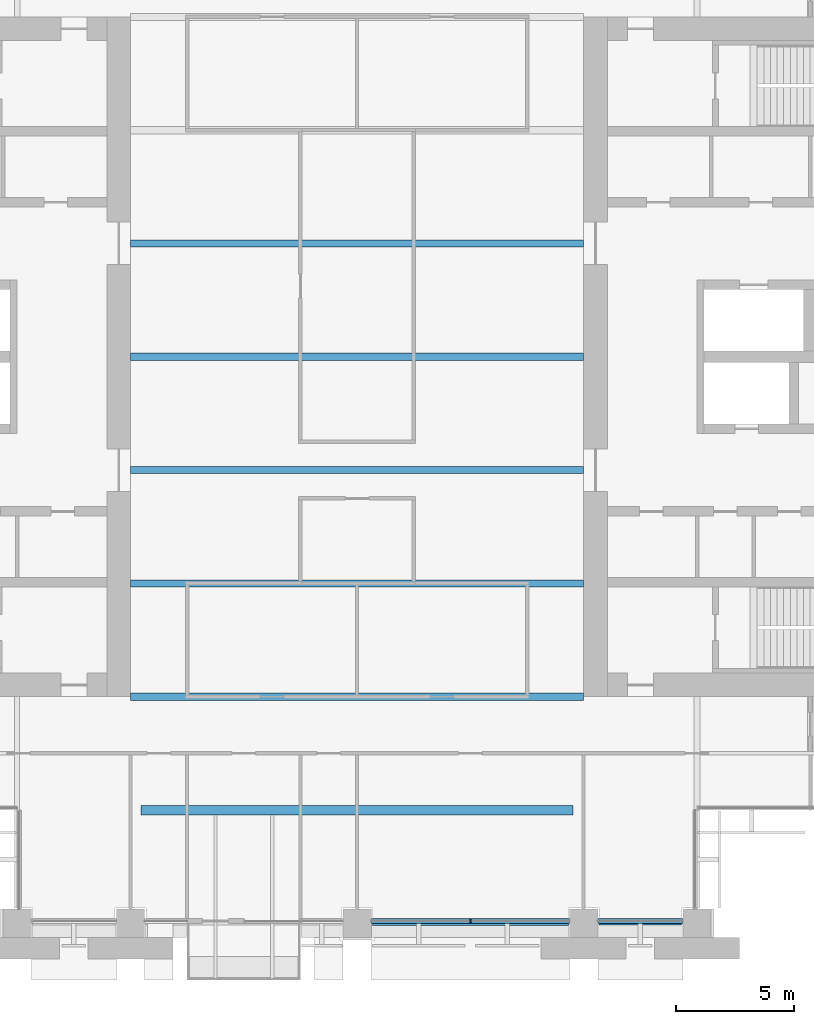
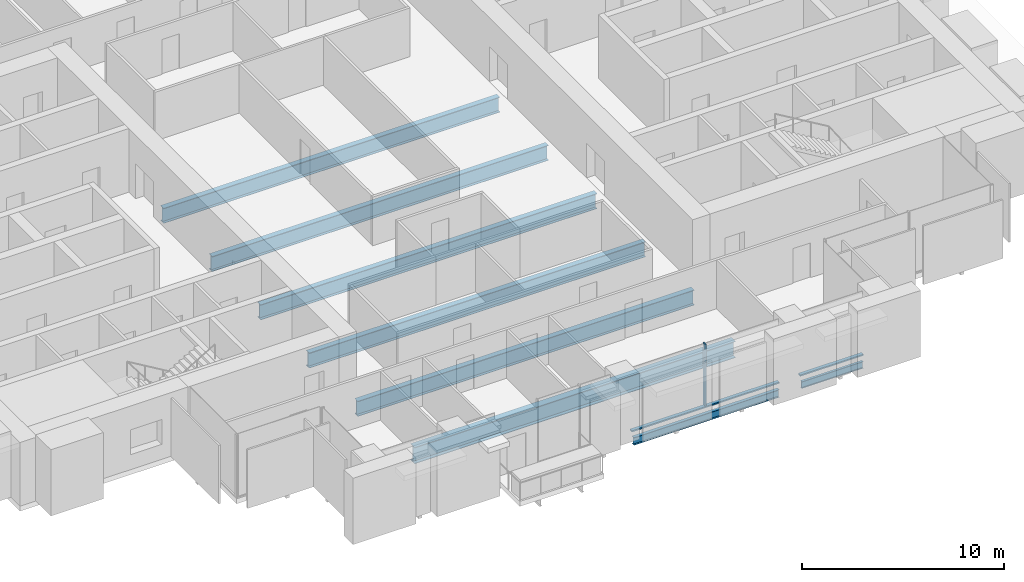
# One storey, part 3 of 15: 8 beams, 3 members, 1 element without a shape of its own.
"""IFC4 building model written with IfcOpenShell, lengths in metres."""

from ifc_helpers import new_model, si_unit, direction, frame, origin, origin_2d, place, context, subcontext, project, spatial, rectangle, i_section, extrude, material, material_profile, profile_set, type_object, element, aggregate, save


model = new_model("IFC4")

# Units and contexts
model_context = context("Model", 3, precision=1e-05, world=origin(), true_north=direction((0.0, 1.0)))
body_context = subcontext(model_context, "Body", "Model", "MODEL_VIEW")
ifc_project = project(units=[si_unit("LENGTHUNIT", "METRE"), si_unit("AREAUNIT", "SQUARE_METRE"), si_unit("VOLUMEUNIT", "CUBIC_METRE"), si_unit("PLANEANGLEUNIT", "RADIAN"), si_unit("MASSUNIT", "GRAM", prefix="KILO")], contexts=[model_context])

# Site, building, storey
site_placement = place(None, origin())
site = spatial("IfcSite", under=ifc_project, at=site_placement, CompositionType="ELEMENT")
building_placement = place(site_placement, origin())
building = spatial("IfcBuilding", under=site, at=building_placement, Name="Baori Bourse Tower", CompositionType="ELEMENT")
storey_placement = place(building_placement, frame((0.0, 0.0, 104.10009765625)))
storey = spatial("IfcBuildingStorey", under=building, at=storey_placement, Name="L21", CompositionType="ELEMENT", Elevation=104.10009765625)

# Curtain wall, members
ifc_material_1 = material(Name="Pale anodised aluminium", Category="aluminium")
curtain_wall_type = type_object("IfcCurtainWallType", Name="CW1 Curtain wall", PredefinedType="NOTDEFINED", material=ifc_material_1)
curtain_wall_placement = place(storey_placement, origin())
curtain_wall = element("IfcCurtainWall", 1, at=curtain_wall_placement, inside=storey, type_object=curtain_wall_type, Name="Curtain wall CW1 L21 15", PredefinedType="NOTDEFINED")
ifc_material_2 = material(Name="Pale anodised aluminium", Category="aluminium")
ifc_material_profile_1 = material_profile(ifc_material_2, rectangle(XDim=0.199951171875, YDim=0.06005859375, at=origin_2d()), Name="Mullion 60x200")
ifc_profile_set_1 = profile_set([ifc_material_profile_1], Name="Pale anodised aluminium")
member_type_1 = type_object("IfcMemberType", Name="CW1 Curtain wall mullion", PredefinedType="MULLION", material=ifc_profile_set_1)
member_1_placement = place(storey_placement, frame((33.60009765625, 0.10009765625, 0.079833984375), z_axis=(0.0, 0.0, 1.0), x_axis=(0.0, 1.0, 0.0)))
member_1 = element("IfcMember", 2, at=member_1_placement, type_object=member_type_1, Name="Curtain wall CW1 mullion", PredefinedType="MULLION", context=body_context, shape_type="SweptSolid", body=[
    extrude(rectangle(XDim=0.199951171875, YDim=0.06005859375, at=origin_2d()), origin(), (0.0, 0.0, 1.0), 3.760009765625),
])
ifc_material_3 = material(Name="Pale anodised aluminium", Category="aluminium")
ifc_material_profile_2 = material_profile(ifc_material_3, rectangle(XDim=0.199951171875, YDim=0.080078125, at=origin_2d()), Name="Transom 80x200")
ifc_profile_set_2 = profile_set([ifc_material_profile_2], Name="Pale anodised aluminium")
member_type_2 = type_object("IfcMemberType", Name="CW1 Curtain wall transom", PredefinedType="USERDEFINED", material=ifc_profile_set_2)
member_2_placement = place(storey_placement, frame((29.39990234375, 0.10009765625, 0.039794921875), z_axis=(1.0, 0.0, 0.0), x_axis=(0.0, 1.0, 0.0)))
member_2 = element("IfcMember", 3, at=member_2_placement, type_object=member_type_2, Name="Curtain wall CW1 sill rail", ObjectType="TRANSOM", PredefinedType="USERDEFINED", context=body_context, shape_type="SweptSolid", body=[
    extrude(rectangle(XDim=0.199951171875, YDim=0.080078125, at=origin_2d()), origin(), (0.0, 0.0, 1.0), 8.400146484375),
])
member_3_placement = place(storey_placement, frame((39.0, 0.10009765625, 0.039794921875), z_axis=(1.0, 0.0, 0.0), x_axis=(0.0, 1.0, 0.0)))
member_3 = element("IfcMember", 4, at=member_3_placement, type_object=member_type_2, Name="Curtain wall CW1 sill rail", ObjectType="TRANSOM", PredefinedType="USERDEFINED", context=body_context, shape_type="SweptSolid", body=[
    extrude(rectangle(XDim=0.199951171875, YDim=0.080078125, at=origin_2d()), origin(), (0.0, 0.0, 1.0), 3.60009765625),
])
aggregate(curtain_wall, [member_2, member_1, member_3])

# Beams
ifc_material_4 = material(Name="Steel A992 Gr 50", Category="steel")
ifc_material_profile_3 = material_profile(ifc_material_4, i_section(OverallWidth=0.140380859375, OverallDepth=0.40380859375, WebThickness=0.007080078125, FlangeThickness=0.01123046875, at=origin_2d()), Name="W16x31")
ifc_profile_set_3 = profile_set([ifc_material_profile_3], Name="Steel A992 Gr 50")
beam_type_1 = type_object("IfcBeamType", Name="Edge beam W16x31", PredefinedType="BEAM", material=ifc_profile_set_3)
beam_1_placement = place(storey_placement, frame((39.050048828125, 0.0, -0.501953125), z_axis=(1.0, 0.0, 0.0), x_axis=(0.0, 1.0, 0.0)))
element("IfcBeam", 5, at=beam_1_placement, inside=storey, type_object=beam_type_1, Name="Edge beam L21", PredefinedType="BEAM", context=body_context, shape_type="SweptSolid", body=[
    extrude(i_section(OverallWidth=0.140380859375, OverallDepth=0.40380859375, WebThickness=0.007080078125, FlangeThickness=0.01123046875, at=origin_2d()), origin(), (0.0, 0.0, 1.0), 3.5),
])
ifc_material_5 = material(Name="Steel A992 Gr 50", Category="steel")
ifc_material_profile_4 = material_profile(ifc_material_5, i_section(OverallWidth=0.1904296875, OverallDepth=0.457275390625, WebThickness=0.009033203125, FlangeThickness=0.014404296875, at=origin_2d()), Name="W18x50")
ifc_profile_set_4 = profile_set([ifc_material_profile_4], Name="Steel A992 Gr 50")
beam_type_2 = type_object("IfcBeamType", Name="Edge beam W18x50", PredefinedType="BEAM", material=ifc_profile_set_4)
beam_2_placement = place(storey_placement, frame((29.449951171875, 0.0, -0.52880859375), z_axis=(1.0, 0.0, 0.0), x_axis=(0.0, 1.0, 0.0)))
element("IfcBeam", 6, at=beam_2_placement, inside=storey, type_object=beam_type_2, Name="Edge beam L21", PredefinedType="BEAM", context=body_context, shape_type="SweptSolid", body=[
    extrude(i_section(OverallWidth=0.1904296875, OverallDepth=0.457275390625, WebThickness=0.009033203125, FlangeThickness=0.014404296875, at=origin_2d()), origin(), (0.0, 0.0, 1.0), 8.300048828125),
])
ifc_material_6 = material(Name="Steel A992 Gr 50", Category="steel")
ifc_material_profile_5 = material_profile(ifc_material_6, i_section(OverallWidth=0.3046875, OverallDepth=0.914306640625, WebThickness=0.0166015625, FlangeThickness=0.02587890625, at=origin_2d()), Name="W36x160")
ifc_profile_set_5 = profile_set([ifc_material_profile_5], Name="Steel A992 Gr 50")
beam_type_3 = type_object("IfcBeamType", Name="Floor beam W36x160", PredefinedType="BEAM", material=ifc_profile_set_5)
for number, where, z_axis, x_axis, name in (
    (7, (19.199951171875, 9.60009765625, -0.75732421875), (1.0, 0.0, 0.0), (0.0, 1.0, 0.0), "Floor beam L21"),
    (8, (19.199951171875, 14.39990234375, -0.75732421875), (1.0, 0.0, 0.0), (0.0, 1.0, 0.0), "Floor beam L21"),
    (9, (19.199951171875, 19.199951171875, -0.75732421875), (1.0, 0.0, 0.0), (0.0, 1.0, 0.0), "Floor beam L21"),
    (10, (19.199951171875, 24.0, -0.75732421875), (1.0, 0.0, 0.0), (0.0, 1.0, 0.0), "Floor beam L21"),
    (11, (19.199951171875, 28.800048828125, -0.75732421875), (1.0, 0.0, 0.0), (0.0, 1.0, 0.0), "Floor beam L21"),
):
    element("IfcBeam", number, at=place(storey_placement, frame(where, z_axis=z_axis, x_axis=x_axis)), inside=storey, type_object=beam_type_3, Name=name, PredefinedType="BEAM", context=body_context, shape_type="SweptSolid", body=[
        extrude(i_section(OverallWidth=0.3046875, OverallDepth=0.914306640625, WebThickness=0.0166015625, FlangeThickness=0.02587890625, at=origin_2d()), origin(), (0.0, 0.0, 1.0), 19.199951171875),
    ])
ifc_material_7 = material(Name="Steel A992 Gr 50", Category="steel")
ifc_material_profile_6 = material_profile(ifc_material_7, i_section(OverallWidth=0.4013671875, OverallDepth=0.990478515625, WebThickness=0.0166015625, FlangeThickness=0.031005859375, at=origin_2d()), Name="W40x215")
ifc_profile_set_6 = profile_set([ifc_material_profile_6], Name="Steel A992 Gr 50")
beam_type_4 = type_object("IfcBeamType", Name="Floor beam W40x215", PredefinedType="BEAM", material=ifc_profile_set_6)
beam_3_placement = place(storey_placement, frame((19.64990234375, 4.800048828125, -0.79541015625), z_axis=(1.0, 0.0, 0.0), x_axis=(0.0, 1.0, 0.0)))
element("IfcBeam", 12, at=beam_3_placement, inside=storey, type_object=beam_type_4, Name="Floor beam L21", PredefinedType="BEAM", context=body_context, shape_type="SweptSolid", body=[
    extrude(i_section(OverallWidth=0.4013671875, OverallDepth=0.990478515625, WebThickness=0.0166015625, FlangeThickness=0.031005859375, at=origin_2d()), origin(), (0.0, 0.0, 1.0), 18.300048828125),
])

save(model, "model.ifc")
